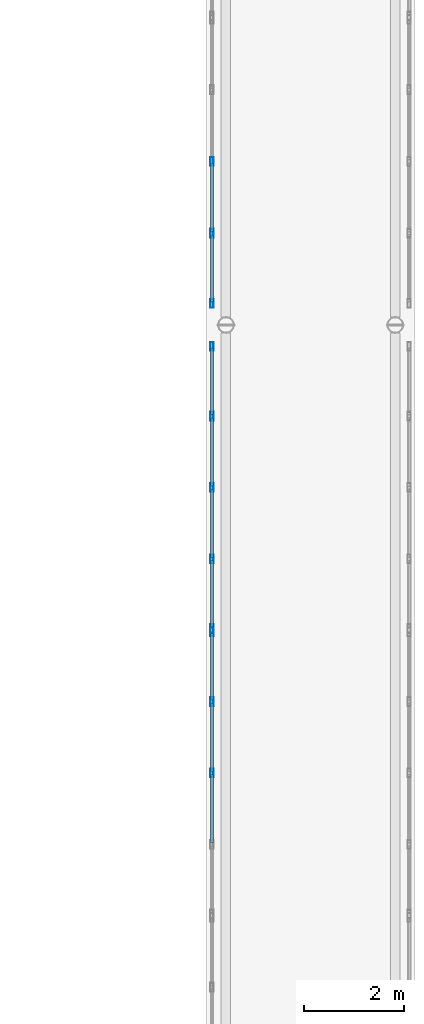
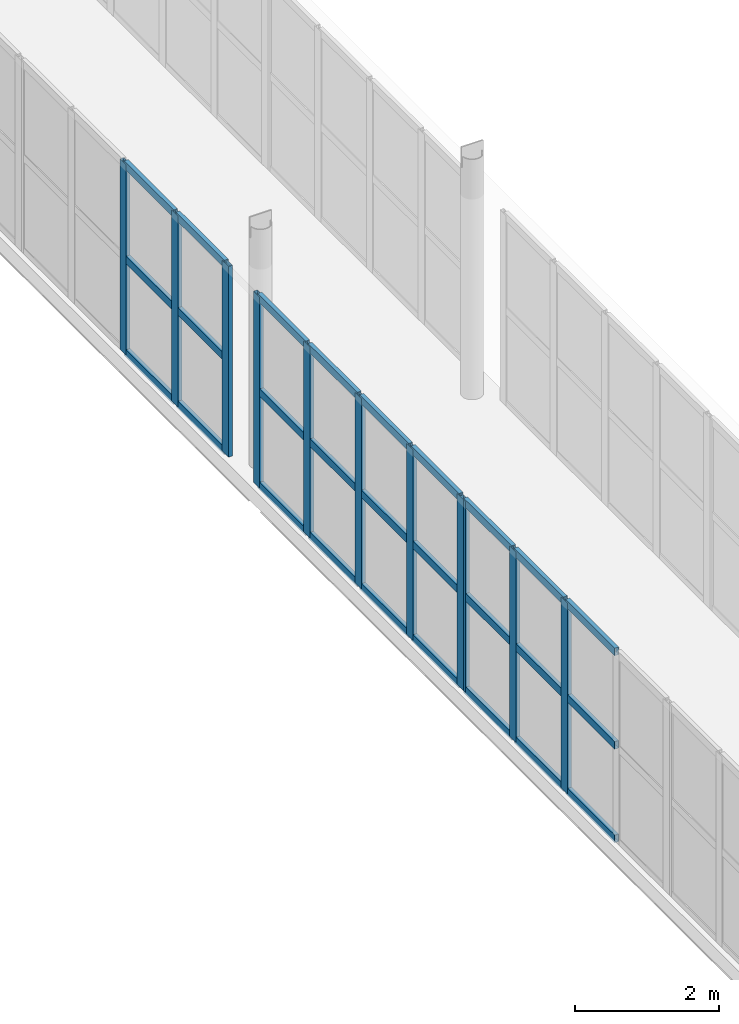
# One storey, part 18 of 52: 38 members, 3 elements without a shape of their own.
"""IFC4 building model written with IfcOpenShell, lengths in metres."""

from ifc_helpers import new_model, si_unit, direction, frame, origin, origin_2d, place, context, subcontext, project, spatial, hollow_rectangle, extrude, material, layer, layer_set, material_profile, profile_set, type_object, element, aggregate, save


model = new_model("IFC4")

# Units and contexts
model_context = context("Model", 3, precision=1e-05, world=origin(), true_north=direction((0.0, 1.0)))
body_context = subcontext(model_context, "Body", "Model", "MODEL_VIEW")
ifc_project = project(units=[si_unit("LENGTHUNIT", "METRE"), si_unit("AREAUNIT", "SQUARE_METRE"), si_unit("VOLUMEUNIT", "CUBIC_METRE"), si_unit("PLANEANGLEUNIT", "RADIAN"), si_unit("MASSUNIT", "GRAM", prefix="KILO")], contexts=[model_context])

# Site, building, storey
site_placement = place(None, origin())
site = spatial("IfcSite", under=ifc_project, at=site_placement, CompositionType="ELEMENT")
building_placement = place(site_placement, origin())
building = spatial("IfcBuilding", under=site, at=building_placement, Name="Valcora Specialist Clinic", CompositionType="ELEMENT")
storey_placement = place(building_placement, frame((0.0, 0.0, 17.679931640625)))
storey = spatial("IfcBuildingStorey", under=building, at=storey_placement, Name="L04", CompositionType="ELEMENT", Elevation=17.679931640625)

# Curtain wall, members
ifc_material = material(Name="Anodized Bronze Aluminium 6063-T6", Category="aluminium")
ifc_layer = layer(ifc_material, 0.175048828125)
ifc_layer_set = layer_set([ifc_layer], Name="Anodized Bronze Aluminium 6063-T6")
curtain_wall_type = type_object("IfcCurtainWallType", Name="TY-CW-BRG14", PredefinedType="NOTDEFINED", material=ifc_layer_set)
curtain_wall_1_placement = place(storey_placement, origin())
curtain_wall_1 = element("IfcCurtainWall", 1, at=curtain_wall_1_placement, inside=storey, type_object=curtain_wall_type, Name="Curtain wall CW-L04-271", PredefinedType="NOTDEFINED")
ifc_material_profile_1 = material_profile(ifc_material, hollow_rectangle(XDim=0.06494140625, YDim=0.175048828125, WallThickness=0.00390625, at=origin_2d()), Name="AL-MUL-65X175")
ifc_profile_set_1 = profile_set([ifc_material_profile_1], Name="Anodized Bronze Aluminium 6063-T6")
member_type_1 = type_object("IfcMemberType", Name="TY-CWM-65X175", PredefinedType="MULLION", material=ifc_profile_set_1)
member_1_placement = place(storey_placement, frame((61.320068359375, 47.0, 0.0), z_axis=(0.0, 0.0, 1.0), x_axis=(-1.0, 0.0, 0.0)))
member_1 = element("IfcMember", 2, at=member_1_placement, type_object=member_type_1, Name="CW-BRG-14 mullion 3", PredefinedType="MULLION", context=body_context, shape_type="SweptSolid", body=[
    extrude(hollow_rectangle(XDim=0.06494140625, YDim=0.175048828125, WallThickness=0.00390625, at=origin_2d()), origin(), (0.0, 0.0, 1.0), 3.239990234375),
])
member_2_placement = place(storey_placement, frame((61.320068359375, 48.433349609375, 0.0), z_axis=(0.0, 0.0, 1.0), x_axis=(-1.0, 0.0, 0.0)))
member_2 = element("IfcMember", 3, at=member_2_placement, type_object=member_type_1, Name="CW-BRG-14 mullion 4", PredefinedType="MULLION", context=body_context, shape_type="SweptSolid", body=[
    extrude(hollow_rectangle(XDim=0.06494140625, YDim=0.175048828125, WallThickness=0.00390625, at=origin_2d()), origin(), (0.0, 0.0, 1.0), 3.239990234375),
])
member_3_placement = place(storey_placement, frame((61.320068359375, 49.834228515625, 0.0), z_axis=(0.0, 0.0, 1.0), x_axis=(-1.0, 0.0, 0.0)))
member_3 = element("IfcMember", 4, at=member_3_placement, type_object=member_type_1, Name="CW-BRG-14 mullion 5", PredefinedType="MULLION", context=body_context, shape_type="SweptSolid", body=[
    extrude(hollow_rectangle(XDim=0.06494140625, YDim=0.175048828125, WallThickness=0.00390625, at=origin_2d()), origin(), (0.0, 0.0, 1.0), 3.239990234375),
])

curtain_wall_2_placement = place(storey_placement, origin())
curtain_wall_2 = element("IfcCurtainWall", 5, at=curtain_wall_2_placement, inside=storey, type_object=curtain_wall_type, Name="Curtain wall CW-L04-272", PredefinedType="NOTDEFINED")
member_4_placement = place(storey_placement, frame((61.320068359375, 49.899169921875, 0.0), z_axis=(0.0, 0.0, 1.0), x_axis=(-1.0, 0.0, 0.0)))
member_4 = element("IfcMember", 6, at=member_4_placement, type_object=member_type_1, Name="CW-BRG-14 mullion 1", PredefinedType="MULLION", context=body_context, shape_type="SweptSolid", body=[
    extrude(hollow_rectangle(XDim=0.06494140625, YDim=0.175048828125, WallThickness=0.00390625, at=origin_2d()), origin(), (0.0, 0.0, 1.0), 3.239990234375),
])
member_5_placement = place(storey_placement, frame((61.320068359375, 51.300048828125, 0.0), z_axis=(0.0, 0.0, 1.0), x_axis=(-1.0, 0.0, 0.0)))
member_5 = element("IfcMember", 7, at=member_5_placement, type_object=member_type_1, Name="CW-BRG-14 mullion 2", PredefinedType="MULLION", context=body_context, shape_type="SweptSolid", body=[
    extrude(hollow_rectangle(XDim=0.06494140625, YDim=0.175048828125, WallThickness=0.00390625, at=origin_2d()), origin(), (0.0, 0.0, 1.0), 3.239990234375),
])
member_6_placement = place(storey_placement, frame((61.320068359375, 52.7333984375, 0.0), z_axis=(0.0, 0.0, 1.0), x_axis=(-1.0, 0.0, 0.0)))
member_6 = element("IfcMember", 8, at=member_6_placement, type_object=member_type_1, Name="CW-BRG-14 mullion 3", PredefinedType="MULLION", context=body_context, shape_type="SweptSolid", body=[
    extrude(hollow_rectangle(XDim=0.06494140625, YDim=0.175048828125, WallThickness=0.00390625, at=origin_2d()), origin(), (0.0, 0.0, 1.0), 3.239990234375),
])
member_7_placement = place(storey_placement, frame((61.320068359375, 54.166748046875, 0.0), z_axis=(0.0, 0.0, 1.0), x_axis=(-1.0, 0.0, 0.0)))
member_7 = element("IfcMember", 9, at=member_7_placement, type_object=member_type_1, Name="CW-BRG-14 mullion 4", PredefinedType="MULLION", context=body_context, shape_type="SweptSolid", body=[
    extrude(hollow_rectangle(XDim=0.06494140625, YDim=0.175048828125, WallThickness=0.00390625, at=origin_2d()), origin(), (0.0, 0.0, 1.0), 3.239990234375),
])
member_8_placement = place(storey_placement, frame((61.320068359375, 55.5673828125, 0.0), z_axis=(0.0, 0.0, 1.0), x_axis=(-1.0, 0.0, 0.0)))
member_8 = element("IfcMember", 10, at=member_8_placement, type_object=member_type_1, Name="CW-BRG-14 mullion 5", PredefinedType="MULLION", context=body_context, shape_type="SweptSolid", body=[
    extrude(hollow_rectangle(XDim=0.06494140625, YDim=0.175048828125, WallThickness=0.00390625, at=origin_2d()), origin(), (0.0, 0.0, 1.0), 3.239990234375),
])

curtain_wall_3_placement = place(storey_placement, origin())
curtain_wall_3 = element("IfcCurtainWall", 11, at=curtain_wall_3_placement, inside=storey, type_object=curtain_wall_type, Name="Curtain wall CW-L04-273", PredefinedType="NOTDEFINED")
member_9_placement = place(storey_placement, frame((61.320068359375, 56.4326171875, 0.0), z_axis=(0.0, 0.0, 1.0), x_axis=(-1.0, 0.0, 0.0)))
member_9 = element("IfcMember", 12, at=member_9_placement, type_object=member_type_1, Name="CW-BRG-14 mullion 1", PredefinedType="MULLION", context=body_context, shape_type="SweptSolid", body=[
    extrude(hollow_rectangle(XDim=0.06494140625, YDim=0.175048828125, WallThickness=0.00390625, at=origin_2d()), origin(), (0.0, 0.0, 1.0), 3.239990234375),
])
member_10_placement = place(storey_placement, frame((61.320068359375, 57.841796875, 0.0), z_axis=(0.0, 0.0, 1.0), x_axis=(-1.0, 0.0, 0.0)))
member_10 = element("IfcMember", 13, at=member_10_placement, type_object=member_type_1, Name="CW-BRG-14 mullion 2", PredefinedType="MULLION", context=body_context, shape_type="SweptSolid", body=[
    extrude(hollow_rectangle(XDim=0.06494140625, YDim=0.175048828125, WallThickness=0.00390625, at=origin_2d()), origin(), (0.0, 0.0, 1.0), 3.239990234375),
])
member_11_placement = place(storey_placement, frame((61.320068359375, 59.283447265625, 0.0), z_axis=(0.0, 0.0, 1.0), x_axis=(-1.0, 0.0, 0.0)))
member_11 = element("IfcMember", 14, at=member_11_placement, type_object=member_type_1, Name="CW-BRG-14 mullion 3", PredefinedType="MULLION", context=body_context, shape_type="SweptSolid", body=[
    extrude(hollow_rectangle(XDim=0.06494140625, YDim=0.175048828125, WallThickness=0.00390625, at=origin_2d()), origin(), (0.0, 0.0, 1.0), 3.239990234375),
])

# Member
ifc_material_profile_2 = material_profile(ifc_material, hollow_rectangle(XDim=0.06494140625, YDim=0.1298828125, WallThickness=0.00390625, at=origin_2d()), Name="AL-TRN-65X130")
ifc_profile_set_2 = profile_set([ifc_material_profile_2], Name="Anodized Bronze Aluminium 6063-T6")
member_type_2 = type_object("IfcMemberType", Name="TY-CWT-65X130", PredefinedType="USERDEFINED", material=ifc_profile_set_2)
member_12_placement = place(storey_placement, frame((61.320068359375, 45.59912109375, 0.032470703125), z_axis=(0.0, 1.0, 0.0), x_axis=(-1.0, 0.0, 0.0)))
member_12 = element("IfcMember", 15, at=member_12_placement, type_object=member_type_2, Name="CW-BRG-14 transom 2.1", ObjectType="TRANSOM", PredefinedType="USERDEFINED", context=body_context, shape_type="SweptSolid", body=[
    extrude(hollow_rectangle(XDim=0.06494140625, YDim=0.1298828125, WallThickness=0.00390625, at=origin_2d()), origin(), (0.0, 0.0, 1.0), 1.368408203125),
])

member_13_placement = place(storey_placement, frame((61.320068359375, 45.59912109375, 1.6201171875), z_axis=(0.0, 1.0, 0.0), x_axis=(-1.0, 0.0, 0.0)))
member_13 = element("IfcMember", 16, at=member_13_placement, type_object=member_type_2, Name="CW-BRG-14 transom 2.2", ObjectType="TRANSOM", PredefinedType="USERDEFINED", context=body_context, shape_type="SweptSolid", body=[
    extrude(hollow_rectangle(XDim=0.06494140625, YDim=0.1298828125, WallThickness=0.00390625, at=origin_2d()), origin(), (0.0, 0.0, 1.0), 1.368408203125),
])

member_14_placement = place(storey_placement, frame((61.320068359375, 45.59912109375, 3.20751953125), z_axis=(0.0, 1.0, 0.0), x_axis=(-1.0, 0.0, 0.0)))
member_14 = element("IfcMember", 17, at=member_14_placement, type_object=member_type_2, Name="CW-BRG-14 transom 2.3", ObjectType="TRANSOM", PredefinedType="USERDEFINED", context=body_context, shape_type="SweptSolid", body=[
    extrude(hollow_rectangle(XDim=0.06494140625, YDim=0.1298828125, WallThickness=0.00390625, at=origin_2d()), origin(), (0.0, 0.0, 1.0), 1.368408203125),
])

member_15_placement = place(storey_placement, frame((61.320068359375, 47.032470703125, 0.032470703125), z_axis=(0.0, 1.0, 0.0), x_axis=(-1.0, 0.0, 0.0)))
member_15 = element("IfcMember", 18, at=member_15_placement, type_object=member_type_2, Name="CW-BRG-14 transom 3.1", ObjectType="TRANSOM", PredefinedType="USERDEFINED", context=body_context, shape_type="SweptSolid", body=[
    extrude(hollow_rectangle(XDim=0.06494140625, YDim=0.1298828125, WallThickness=0.00390625, at=origin_2d()), origin(), (0.0, 0.0, 1.0), 1.368408203125),
])

member_16_placement = place(storey_placement, frame((61.320068359375, 47.032470703125, 1.6201171875), z_axis=(0.0, 1.0, 0.0), x_axis=(-1.0, 0.0, 0.0)))
member_16 = element("IfcMember", 19, at=member_16_placement, type_object=member_type_2, Name="CW-BRG-14 transom 3.2", ObjectType="TRANSOM", PredefinedType="USERDEFINED", context=body_context, shape_type="SweptSolid", body=[
    extrude(hollow_rectangle(XDim=0.06494140625, YDim=0.1298828125, WallThickness=0.00390625, at=origin_2d()), origin(), (0.0, 0.0, 1.0), 1.368408203125),
])

member_17_placement = place(storey_placement, frame((61.320068359375, 47.032470703125, 3.20751953125), z_axis=(0.0, 1.0, 0.0), x_axis=(-1.0, 0.0, 0.0)))
member_17 = element("IfcMember", 20, at=member_17_placement, type_object=member_type_2, Name="CW-BRG-14 transom 3.3", ObjectType="TRANSOM", PredefinedType="USERDEFINED", context=body_context, shape_type="SweptSolid", body=[
    extrude(hollow_rectangle(XDim=0.06494140625, YDim=0.1298828125, WallThickness=0.00390625, at=origin_2d()), origin(), (0.0, 0.0, 1.0), 1.368408203125),
])

member_18_placement = place(storey_placement, frame((61.320068359375, 48.4658203125, 0.032470703125), z_axis=(0.0, 1.0, 0.0), x_axis=(-1.0, 0.0, 0.0)))
member_18 = element("IfcMember", 21, at=member_18_placement, type_object=member_type_2, Name="CW-BRG-14 transom 4.1", ObjectType="TRANSOM", PredefinedType="USERDEFINED", context=body_context, shape_type="SweptSolid", body=[
    extrude(hollow_rectangle(XDim=0.06494140625, YDim=0.1298828125, WallThickness=0.00390625, at=origin_2d()), origin(), (0.0, 0.0, 1.0), 1.3359375),
])

member_19_placement = place(storey_placement, frame((61.320068359375, 48.4658203125, 1.6201171875), z_axis=(0.0, 1.0, 0.0), x_axis=(-1.0, 0.0, 0.0)))
member_19 = element("IfcMember", 22, at=member_19_placement, type_object=member_type_2, Name="CW-BRG-14 transom 4.2", ObjectType="TRANSOM", PredefinedType="USERDEFINED", context=body_context, shape_type="SweptSolid", body=[
    extrude(hollow_rectangle(XDim=0.06494140625, YDim=0.1298828125, WallThickness=0.00390625, at=origin_2d()), origin(), (0.0, 0.0, 1.0), 1.3359375),
])

member_20_placement = place(storey_placement, frame((61.320068359375, 48.4658203125, 3.20751953125), z_axis=(0.0, 1.0, 0.0), x_axis=(-1.0, 0.0, 0.0)))
member_20 = element("IfcMember", 23, at=member_20_placement, type_object=member_type_2, Name="CW-BRG-14 transom 4.3", ObjectType="TRANSOM", PredefinedType="USERDEFINED", context=body_context, shape_type="SweptSolid", body=[
    extrude(hollow_rectangle(XDim=0.06494140625, YDim=0.1298828125, WallThickness=0.00390625, at=origin_2d()), origin(), (0.0, 0.0, 1.0), 1.3359375),
])

aggregate(curtain_wall_1, [member_1, member_2, member_3, member_12, member_13, member_14, member_15, member_16, member_17, member_18, member_19, member_20])

member_21_placement = place(storey_placement, frame((61.320068359375, 49.931640625, 0.032470703125), z_axis=(0.0, 1.0, 0.0), x_axis=(-1.0, 0.0, 0.0)))
member_21 = element("IfcMember", 24, at=member_21_placement, type_object=member_type_2, Name="CW-BRG-14 transom 1.1", ObjectType="TRANSOM", PredefinedType="USERDEFINED", context=body_context, shape_type="SweptSolid", body=[
    extrude(hollow_rectangle(XDim=0.06494140625, YDim=0.1298828125, WallThickness=0.00390625, at=origin_2d()), origin(), (0.0, 0.0, 1.0), 1.3359375),
])

member_22_placement = place(storey_placement, frame((61.320068359375, 49.931640625, 1.6201171875), z_axis=(0.0, 1.0, 0.0), x_axis=(-1.0, 0.0, 0.0)))
member_22 = element("IfcMember", 25, at=member_22_placement, type_object=member_type_2, Name="CW-BRG-14 transom 1.2", ObjectType="TRANSOM", PredefinedType="USERDEFINED", context=body_context, shape_type="SweptSolid", body=[
    extrude(hollow_rectangle(XDim=0.06494140625, YDim=0.1298828125, WallThickness=0.00390625, at=origin_2d()), origin(), (0.0, 0.0, 1.0), 1.3359375),
])

member_23_placement = place(storey_placement, frame((61.320068359375, 49.931640625, 3.20751953125), z_axis=(0.0, 1.0, 0.0), x_axis=(-1.0, 0.0, 0.0)))
member_23 = element("IfcMember", 26, at=member_23_placement, type_object=member_type_2, Name="CW-BRG-14 transom 1.3", ObjectType="TRANSOM", PredefinedType="USERDEFINED", context=body_context, shape_type="SweptSolid", body=[
    extrude(hollow_rectangle(XDim=0.06494140625, YDim=0.1298828125, WallThickness=0.00390625, at=origin_2d()), origin(), (0.0, 0.0, 1.0), 1.3359375),
])

member_24_placement = place(storey_placement, frame((61.320068359375, 51.33251953125, 0.032470703125), z_axis=(0.0, 1.0, 0.0), x_axis=(-1.0, 0.0, 0.0)))
member_24 = element("IfcMember", 27, at=member_24_placement, type_object=member_type_2, Name="CW-BRG-14 transom 2.1", ObjectType="TRANSOM", PredefinedType="USERDEFINED", context=body_context, shape_type="SweptSolid", body=[
    extrude(hollow_rectangle(XDim=0.06494140625, YDim=0.1298828125, WallThickness=0.00390625, at=origin_2d()), origin(), (0.0, 0.0, 1.0), 1.368408203125),
])

member_25_placement = place(storey_placement, frame((61.320068359375, 51.33251953125, 1.6201171875), z_axis=(0.0, 1.0, 0.0), x_axis=(-1.0, 0.0, 0.0)))
member_25 = element("IfcMember", 28, at=member_25_placement, type_object=member_type_2, Name="CW-BRG-14 transom 2.2", ObjectType="TRANSOM", PredefinedType="USERDEFINED", context=body_context, shape_type="SweptSolid", body=[
    extrude(hollow_rectangle(XDim=0.06494140625, YDim=0.1298828125, WallThickness=0.00390625, at=origin_2d()), origin(), (0.0, 0.0, 1.0), 1.368408203125),
])

member_26_placement = place(storey_placement, frame((61.320068359375, 51.33251953125, 3.20751953125), z_axis=(0.0, 1.0, 0.0), x_axis=(-1.0, 0.0, 0.0)))
member_26 = element("IfcMember", 29, at=member_26_placement, type_object=member_type_2, Name="CW-BRG-14 transom 2.3", ObjectType="TRANSOM", PredefinedType="USERDEFINED", context=body_context, shape_type="SweptSolid", body=[
    extrude(hollow_rectangle(XDim=0.06494140625, YDim=0.1298828125, WallThickness=0.00390625, at=origin_2d()), origin(), (0.0, 0.0, 1.0), 1.368408203125),
])

member_27_placement = place(storey_placement, frame((61.320068359375, 52.765869140625, 0.032470703125), z_axis=(0.0, 1.0, 0.0), x_axis=(-1.0, 0.0, 0.0)))
member_27 = element("IfcMember", 30, at=member_27_placement, type_object=member_type_2, Name="CW-BRG-14 transom 3.1", ObjectType="TRANSOM", PredefinedType="USERDEFINED", context=body_context, shape_type="SweptSolid", body=[
    extrude(hollow_rectangle(XDim=0.06494140625, YDim=0.1298828125, WallThickness=0.00390625, at=origin_2d()), origin(), (0.0, 0.0, 1.0), 1.368408203125),
])

member_28_placement = place(storey_placement, frame((61.320068359375, 52.765869140625, 1.6201171875), z_axis=(0.0, 1.0, 0.0), x_axis=(-1.0, 0.0, 0.0)))
member_28 = element("IfcMember", 31, at=member_28_placement, type_object=member_type_2, Name="CW-BRG-14 transom 3.2", ObjectType="TRANSOM", PredefinedType="USERDEFINED", context=body_context, shape_type="SweptSolid", body=[
    extrude(hollow_rectangle(XDim=0.06494140625, YDim=0.1298828125, WallThickness=0.00390625, at=origin_2d()), origin(), (0.0, 0.0, 1.0), 1.368408203125),
])

member_29_placement = place(storey_placement, frame((61.320068359375, 52.765869140625, 3.20751953125), z_axis=(0.0, 1.0, 0.0), x_axis=(-1.0, 0.0, 0.0)))
member_29 = element("IfcMember", 32, at=member_29_placement, type_object=member_type_2, Name="CW-BRG-14 transom 3.3", ObjectType="TRANSOM", PredefinedType="USERDEFINED", context=body_context, shape_type="SweptSolid", body=[
    extrude(hollow_rectangle(XDim=0.06494140625, YDim=0.1298828125, WallThickness=0.00390625, at=origin_2d()), origin(), (0.0, 0.0, 1.0), 1.368408203125),
])

member_30_placement = place(storey_placement, frame((61.320068359375, 54.19921875, 0.032470703125), z_axis=(0.0, 1.0, 0.0), x_axis=(-1.0, 0.0, 0.0)))
member_30 = element("IfcMember", 33, at=member_30_placement, type_object=member_type_2, Name="CW-BRG-14 transom 4.1", ObjectType="TRANSOM", PredefinedType="USERDEFINED", context=body_context, shape_type="SweptSolid", body=[
    extrude(hollow_rectangle(XDim=0.06494140625, YDim=0.1298828125, WallThickness=0.00390625, at=origin_2d()), origin(), (0.0, 0.0, 1.0), 1.335693359375),
])

member_31_placement = place(storey_placement, frame((61.320068359375, 54.19921875, 1.6201171875), z_axis=(0.0, 1.0, 0.0), x_axis=(-1.0, 0.0, 0.0)))
member_31 = element("IfcMember", 34, at=member_31_placement, type_object=member_type_2, Name="CW-BRG-14 transom 4.2", ObjectType="TRANSOM", PredefinedType="USERDEFINED", context=body_context, shape_type="SweptSolid", body=[
    extrude(hollow_rectangle(XDim=0.06494140625, YDim=0.1298828125, WallThickness=0.00390625, at=origin_2d()), origin(), (0.0, 0.0, 1.0), 1.335693359375),
])

member_32_placement = place(storey_placement, frame((61.320068359375, 54.19921875, 3.20751953125), z_axis=(0.0, 1.0, 0.0), x_axis=(-1.0, 0.0, 0.0)))
member_32 = element("IfcMember", 35, at=member_32_placement, type_object=member_type_2, Name="CW-BRG-14 transom 4.3", ObjectType="TRANSOM", PredefinedType="USERDEFINED", context=body_context, shape_type="SweptSolid", body=[
    extrude(hollow_rectangle(XDim=0.06494140625, YDim=0.1298828125, WallThickness=0.00390625, at=origin_2d()), origin(), (0.0, 0.0, 1.0), 1.335693359375),
])

aggregate(curtain_wall_2, [member_4, member_5, member_6, member_7, member_8, member_21, member_22, member_23, member_24, member_25, member_26, member_27, member_28, member_29, member_30, member_31, member_32])

member_33_placement = place(storey_placement, frame((61.320068359375, 56.465087890625, 0.032470703125), z_axis=(0.0, 1.0, 0.0), x_axis=(-1.0, 0.0, 0.0)))
member_33 = element("IfcMember", 36, at=member_33_placement, type_object=member_type_2, Name="CW-BRG-14 transom 1.1", ObjectType="TRANSOM", PredefinedType="USERDEFINED", context=body_context, shape_type="SweptSolid", body=[
    extrude(hollow_rectangle(XDim=0.06494140625, YDim=0.1298828125, WallThickness=0.00390625, at=origin_2d()), origin(), (0.0, 0.0, 1.0), 1.343994140625),
])

member_34_placement = place(storey_placement, frame((61.320068359375, 56.465087890625, 1.6201171875), z_axis=(0.0, 1.0, 0.0), x_axis=(-1.0, 0.0, 0.0)))
member_34 = element("IfcMember", 37, at=member_34_placement, type_object=member_type_2, Name="CW-BRG-14 transom 1.2", ObjectType="TRANSOM", PredefinedType="USERDEFINED", context=body_context, shape_type="SweptSolid", body=[
    extrude(hollow_rectangle(XDim=0.06494140625, YDim=0.1298828125, WallThickness=0.00390625, at=origin_2d()), origin(), (0.0, 0.0, 1.0), 1.343994140625),
])

member_35_placement = place(storey_placement, frame((61.320068359375, 56.465087890625, 3.20751953125), z_axis=(0.0, 1.0, 0.0), x_axis=(-1.0, 0.0, 0.0)))
member_35 = element("IfcMember", 38, at=member_35_placement, type_object=member_type_2, Name="CW-BRG-14 transom 1.3", ObjectType="TRANSOM", PredefinedType="USERDEFINED", context=body_context, shape_type="SweptSolid", body=[
    extrude(hollow_rectangle(XDim=0.06494140625, YDim=0.1298828125, WallThickness=0.00390625, at=origin_2d()), origin(), (0.0, 0.0, 1.0), 1.343994140625),
])

member_36_placement = place(storey_placement, frame((61.320068359375, 57.874267578125, 0.032470703125), z_axis=(0.0, 1.0, 0.0), x_axis=(-1.0, 0.0, 0.0)))
member_36 = element("IfcMember", 39, at=member_36_placement, type_object=member_type_2, Name="CW-BRG-14 transom 2.1", ObjectType="TRANSOM", PredefinedType="USERDEFINED", context=body_context, shape_type="SweptSolid", body=[
    extrude(hollow_rectangle(XDim=0.06494140625, YDim=0.1298828125, WallThickness=0.00390625, at=origin_2d()), origin(), (0.0, 0.0, 1.0), 1.37646484375),
])

member_37_placement = place(storey_placement, frame((61.320068359375, 57.874267578125, 1.6201171875), z_axis=(0.0, 1.0, 0.0), x_axis=(-1.0, 0.0, 0.0)))
member_37 = element("IfcMember", 40, at=member_37_placement, type_object=member_type_2, Name="CW-BRG-14 transom 2.2", ObjectType="TRANSOM", PredefinedType="USERDEFINED", context=body_context, shape_type="SweptSolid", body=[
    extrude(hollow_rectangle(XDim=0.06494140625, YDim=0.1298828125, WallThickness=0.00390625, at=origin_2d()), origin(), (0.0, 0.0, 1.0), 1.37646484375),
])

member_38_placement = place(storey_placement, frame((61.320068359375, 57.874267578125, 3.20751953125), z_axis=(0.0, 1.0, 0.0), x_axis=(-1.0, 0.0, 0.0)))
member_38 = element("IfcMember", 41, at=member_38_placement, type_object=member_type_2, Name="CW-BRG-14 transom 2.3", ObjectType="TRANSOM", PredefinedType="USERDEFINED", context=body_context, shape_type="SweptSolid", body=[
    extrude(hollow_rectangle(XDim=0.06494140625, YDim=0.1298828125, WallThickness=0.00390625, at=origin_2d()), origin(), (0.0, 0.0, 1.0), 1.37646484375),
])

aggregate(curtain_wall_3, [member_9, member_10, member_11, member_33, member_34, member_35, member_36, member_37, member_38])

save(model, "model.ifc")
